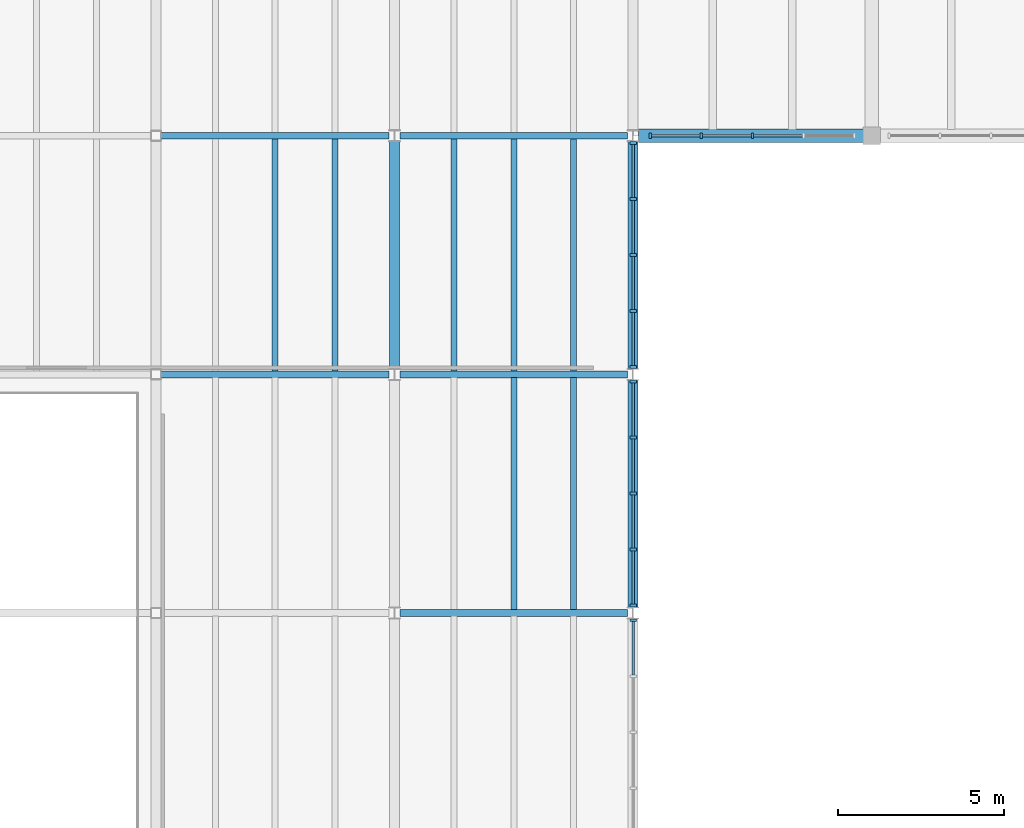
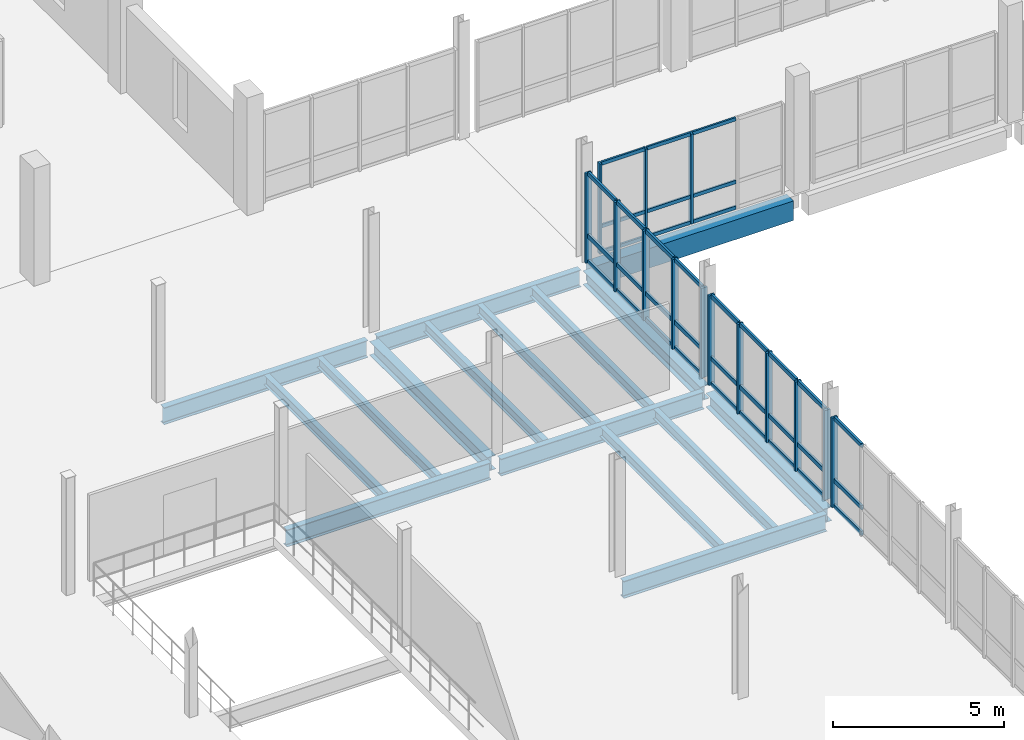
# One storey, part 33 of 72: 50 members, 16 beams, 4 elements without a shape of their own.
"""IFC4 building model written with IfcOpenShell, lengths in metres."""

import ifcopenshell
import ifcopenshell.guid

model = None  # the IFC model being written
_history = None  # IfcOwnerHistory: only IFC2X3 demands one
_inside = {}  # id of a spatial element -> (the spatial element, [elements in it])
_under = {}  # id of a project, library or spatial element -> (it, [spatial elements below it])
_declared = {}  # id of a project -> (the project, [libraries it declares])
_typed = {}  # id of a type object -> (the type object, [elements of that type])
_made_of = {}  # id of a material, layer set ... -> (it, [elements and type objects made of it])


def new_model(schema):
    """Start an empty IFC model of exactly this schema.

    Asked for "IFC4X3", IfcOpenShell would pick the latest addendum, in which some entities
    have other attributes; the version numbers below select the first issue.
    IFC2X3 requires an IfcOwnerHistory on every rooted entity: one is made here for all.
    """
    global model, _history
    if schema == "IFC4X3":
        model = ifcopenshell.file(schema_version=(4, 3, 0, 0))
    else:
        model = ifcopenshell.file(schema=schema)
    _inside.clear()
    _under.clear()
    _declared.clear()
    _typed.clear()
    _made_of.clear()
    _history = None
    if model.schema == "IFC2X3":
        org = make("IfcOrganization", Name="unknown")
        user = make(
            "IfcPersonAndOrganization",
            ThePerson=make("IfcPerson", FamilyName="unknown"),
            TheOrganization=org,
        )
        app = make(
            "IfcApplication",
            ApplicationDeveloper=org,
            Version="unknown",
            ApplicationFullName="unknown",
            ApplicationIdentifier="unknown",
        )
        _history = make(
            "IfcOwnerHistory",
            OwningUser=user,
            OwningApplication=app,
            ChangeAction="ADDED",
            CreationDate=0,
        )
    return model


def make(cls, **values):
    """One entity of the class cls with the attributes given. An attribute that is None is left unset."""
    return model.create_entity(
        cls, **{name: value for name, value in values.items() if value is not None}
    )


def rooted(cls, **values):
    """An entity with a GlobalId (a new one), such as an element, a storey or a relation."""
    return make(cls, GlobalId=ifcopenshell.guid.new(), OwnerHistory=_history, **values)


def si_unit(unit_type, name, prefix=None):
    """IfcSIUnit, for example si_unit("LENGTHUNIT", "METRE", prefix="MILLI")."""
    return make("IfcSIUnit", UnitType=unit_type, Prefix=prefix, Name=name)


def assignment(units):
    """IfcUnitAssignment: the units of a project."""
    return None if units is None else make("IfcUnitAssignment", Units=units)


def point(xyz):
    """IfcCartesianPoint."""
    return None if xyz is None else make("IfcCartesianPoint", Coordinates=xyz)


def direction(xyz):
    """IfcDirection."""
    return None if xyz is None else make("IfcDirection", DirectionRatios=xyz)


def frame(location, z_axis=None, x_axis=None):
    """IfcAxis2Placement3D, a coordinate frame: its origin and axes. An axis left out is left unset."""
    return make(
        "IfcAxis2Placement3D",
        Location=point(location),
        Axis=direction(z_axis),
        RefDirection=direction(x_axis),
    )


def frame_2d(location, x_axis=None):
    """IfcAxis2Placement2D, a coordinate frame in the plane: its origin and x axis."""
    return make(
        "IfcAxis2Placement2D", Location=point(location), RefDirection=direction(x_axis)
    )


def origin():
    """The frame at (0, 0, 0) with its axes left unset."""
    return frame((0.0, 0.0, 0.0))


def origin_2d():
    """The frame at (0, 0) in the plane with its x axis left unset."""
    return frame_2d((0.0, 0.0))


def place(relative_to, where):
    """IfcLocalPlacement: puts the frame where relative to a parent placement (None: the world)."""
    return make(
        "IfcLocalPlacement", PlacementRelTo=relative_to, RelativePlacement=where
    )


def context(
    kind, dimensions, precision=None, world=None, true_north=None, identifier=None
):
    """IfcGeometricRepresentationContext, for example the 3D "Model" context."""
    return make(
        "IfcGeometricRepresentationContext",
        ContextIdentifier=identifier,
        ContextType=kind,
        CoordinateSpaceDimension=dimensions,
        Precision=precision,
        WorldCoordinateSystem=world,
        TrueNorth=true_north,
    )


def subcontext(parent, identifier, kind, view, scale=None):
    """IfcGeometricRepresentationSubContext, for example "Body" below "Model"."""
    return make(
        "IfcGeometricRepresentationSubContext",
        ContextIdentifier=identifier,
        ContextType=kind,
        ParentContext=parent,
        TargetScale=scale,
        TargetView=view,
    )


def project(units=None, contexts=None):
    """IfcProject with its units and contexts."""
    return rooted(
        "IfcProject",
        Name="project",
        RepresentationContexts=contexts,
        UnitsInContext=assignment(units),
    )


def spatial(cls, under=None, at=None, **own):
    """A site, building, storey or space (cls), placed at a placement, below another one or the project."""
    s = rooted(cls, ObjectPlacement=at, **own)
    if under is not None:
        _under.setdefault(under.id(), (under, []))[1].append(s)
    return s


def profile(cls, at=None, kind="AREA", **sizes):
    """A parametric profile (cls). Its sizes go by their IFC names, for example OverallWidth=200.0."""
    return make(cls, ProfileType=kind, Position=at, **sizes)


def rectangle(**sizes):
    """IfcRectangleProfileDef."""
    return profile("IfcRectangleProfileDef", **sizes)


def i_section(**sizes):
    """IfcIShapeProfileDef."""
    return profile("IfcIShapeProfileDef", **sizes)


def extrude(swept, where, along, depth):
    """IfcExtrudedAreaSolid: the profile swept, set in the frame where, extruded along a direction by depth."""
    return make(
        "IfcExtrudedAreaSolid",
        SweptArea=swept,
        Position=where,
        ExtrudedDirection=direction(along),
        Depth=depth,
    )


def shape(context_of_items, identifier, shape_type, items):
    """IfcShapeRepresentation: the items that make up one representation, for example the "Body"."""
    return make(
        "IfcShapeRepresentation",
        ContextOfItems=context_of_items,
        RepresentationIdentifier=identifier,
        RepresentationType=shape_type,
        Items=items,
    )


def material(Name=None, Category=None):
    """IfcMaterial."""
    return make("IfcMaterial", Name=Name, Category=Category)


def material_profile(
    of_material, cross_section, Name=None, Category=None, Priority=None
):
    """IfcMaterialProfile: a cross section and its material."""
    return make(
        "IfcMaterialProfile",
        Name=Name,
        Material=of_material,
        Profile=cross_section,
        Priority=Priority,
        Category=Category,
    )


def profile_set(profiles, Name=None, composite=None):
    """IfcMaterialProfileSet."""
    return make(
        "IfcMaterialProfileSet",
        Name=Name,
        MaterialProfiles=profiles,
        CompositeProfile=composite,
    )


def made_of(thing, what):
    """Note that an element or type object is made of a material, layer set ...; save() writes the relation."""
    if what is not None:
        _made_of.setdefault(what.id(), (what, []))[1].append(thing)
    return thing


def type_object(cls, material=None, **own):
    """A type object (cls), such as IfcWallType, which elements share."""
    return made_of(rooted(cls, **own), material)


def element(
    cls,
    number,
    at=None,
    inside=None,
    cuts=None,
    type_object=None,
    material=None,
    context=None,
    identifier="Body",
    shape_type=None,
    held_by="IfcProductDefinitionShape",
    body=None,
    shapes=None,
    **own,
):
    """One element of the class cls, such as IfcWall. Its Tag is "e" and its number.

    at: its placement. inside: the storey or other place that contains it. cuts: it is an
    opening in that element (IfcRelVoidsElement). A single representation is given by context,
    identifier, shape_type and body (its items); several are given by shapes. held_by: the class
    of the entity that holds the representations. save() writes the other relations.
    """
    e = rooted(cls, Tag="e%d" % number, ObjectPlacement=at, **own)
    if body is not None:
        shapes = [shape(context, identifier, shape_type, body)]
    if shapes is not None:
        e.Representation = make(held_by, Representations=shapes)
    if inside is not None:
        _inside.setdefault(inside.id(), (inside, []))[1].append(e)
    if cuts is not None:
        rooted(
            "IfcRelVoidsElement", RelatingBuildingElement=cuts, RelatedOpeningElement=e
        )
    if type_object is not None:
        _typed.setdefault(type_object.id(), (type_object, []))[1].append(e)
    return made_of(e, material)


def aggregate(whole, parts):
    """IfcRelAggregates: a whole, such as a stair, and the parts it consists of."""
    return rooted("IfcRelAggregates", RelatingObject=whole, RelatedObjects=parts)


def save(model, path):
    """Write the relations noted so far, then the file.

    IfcRelAggregates (storeys below a building ...), IfcRelContainedInSpatialStructure (elements
    in a storey), IfcRelDefinesByType, IfcRelAssociatesMaterial and IfcRelDeclares: one each for
    every whole, place, type object, material and project.
    """
    for whole, parts in _under.values():
        aggregate(whole, parts)
    for where, things in _inside.values():
        rooted(
            "IfcRelContainedInSpatialStructure",
            RelatedElements=things,
            RelatingStructure=where,
        )
    for kind, things in _typed.values():
        rooted("IfcRelDefinesByType", RelatedObjects=things, RelatingType=kind)
    for what, things in _made_of.values():
        rooted("IfcRelAssociatesMaterial", RelatedObjects=things, RelatingMaterial=what)
    for by, libraries in _declared.values():
        rooted("IfcRelDeclares", RelatingContext=by, RelatedDefinitions=libraries)
    model.write(path)


model = new_model("IFC4")

# Units and contexts
model_context = context("Model", 3, precision=1e-05, world=origin(), true_north=direction((0.0, 1.0)))
body_context = subcontext(model_context, "Body", "Model", "MODEL_VIEW")
ifc_project = project(units=[si_unit("LENGTHUNIT", "METRE"), si_unit("AREAUNIT", "SQUARE_METRE"), si_unit("VOLUMEUNIT", "CUBIC_METRE"), si_unit("PLANEANGLEUNIT", "RADIAN"), si_unit("MASSUNIT", "GRAM", prefix="KILO")], contexts=[model_context])

# Site, building, storey
site_placement = place(None, origin())
site = spatial("IfcSite", under=ifc_project, at=site_placement, CompositionType="ELEMENT")
building_placement = place(site_placement, origin())
building = spatial("IfcBuilding", under=site, at=building_placement, Name="Qiaolan Assembly House", CompositionType="ELEMENT")
storey_placement = place(building_placement, frame((0.0, 0.0, 10.199951171875)))
storey = spatial("IfcBuildingStorey", under=building, at=storey_placement, Name="L02", CompositionType="ELEMENT", Elevation=10.199951171875)

# Beams
ifc_material_1 = material(Name="Concrete C40/50", Category="concrete")
ifc_material_profile_1 = material_profile(ifc_material_1, rectangle(XDim=0.39990234375, YDim=0.699951171875, at=origin_2d()), Name="RCB 400x700")
ifc_profile_set_1 = profile_set([ifc_material_profile_1], Name="Concrete C40/50")
beam_type_1 = type_object("IfcBeamType", Name="BM-RC-400x700", PredefinedType="BEAM", material=ifc_profile_set_1)
beam_1_placement = place(storey_placement, frame((108.1650390625, 79.199951171875, -0.619873046875), z_axis=(1.0, 0.0, 0.0), x_axis=(0.0, 1.0, 0.0)))
element("IfcBeam", 1, at=beam_1_placement, inside=storey, type_object=beam_type_1, Name="GB-05 beam BMX-CLN-L02-00-00", PredefinedType="BEAM", context=body_context, shape_type="SweptSolid", body=[
    extrude(rectangle(XDim=0.39990234375, YDim=0.699951171875, at=origin_2d()), origin(), (0.0, 0.0, 1.0), 6.784912109375),
])
ifc_material_2 = material(Name="Steel Q355B", Category="steel")
ifc_material_profile_2 = material_profile(ifc_material_2, i_section(OverallWidth=0.300048828125, OverallDepth=0.5, WebThickness=0.010986328125, FlangeThickness=0.01806640625, FilletRadius=0.02001953125, at=origin_2d()), Name="HM 500x300x11x18")
ifc_profile_set_2 = profile_set([ifc_material_profile_2], Name="Steel Q355B")
beam_type_2 = type_object("IfcBeamType", Name="BM-STL-HM500", PredefinedType="BEAM", material=ifc_profile_set_2)
for number, where, z_axis, x_axis, name in (
    (2, (100.800048828125, 72.1650390625, -0.550048828125), (0.0, 1.0, 0.0), (-1.0, 0.0, 0.0), "SB-15 beam BMY-HL-L02-11-05"),
    (3, (108.0, 64.965087890625, -0.550048828125), (0.0, 1.0, 0.0), (-1.0, 0.0, 0.0), "SB-15 beam BMY-HL-L02-12-04"),
    (4, (108.0, 72.1650390625, -0.550048828125), (0.0, 1.0, 0.0), (-1.0, 0.0, 0.0), "SB-15 beam BMY-HL-L02-12-05"),
):
    element("IfcBeam", number, at=place(storey_placement, frame(where, z_axis=z_axis, x_axis=x_axis)), inside=storey, type_object=beam_type_2, Name=name, PredefinedType="BEAM", context=body_context, shape_type="SweptSolid", body=[
        extrude(i_section(OverallWidth=0.300048828125, OverallDepth=0.5, WebThickness=0.010986328125, FlangeThickness=0.01806640625, FilletRadius=0.02001953125, at=origin_2d()), origin(), (0.0, 0.0, 1.0), 6.869873046875),
    ])
ifc_material_profile_3 = material_profile(ifc_material_2, i_section(OverallWidth=0.2099609375, OverallDepth=0.610107421875, WebThickness=0.010986328125, FlangeThickness=0.01806640625, FilletRadius=0.02001953125, at=origin_2d()), Name="HN 610x210x11x18")
ifc_profile_set_3 = profile_set([ifc_material_profile_3], Name="Steel Q355B")
beam_type_3 = type_object("IfcBeamType", Name="BM-STL-HN610", PredefinedType="BEAM", material=ifc_profile_set_3)
beam_2_placement = place(storey_placement, frame((100.965087890625, 64.800048828125, -0.60498046875), z_axis=(1.0, 0.0, 0.0), x_axis=(0.0, 1.0, 0.0)))
element("IfcBeam", 5, at=beam_2_placement, inside=storey, type_object=beam_type_3, Name="SB-11 beam BMX-HL-L02-11-04", PredefinedType="BEAM", context=body_context, shape_type="SweptSolid", body=[
    extrude(i_section(OverallWidth=0.2099609375, OverallDepth=0.610107421875, WebThickness=0.010986328125, FlangeThickness=0.01806640625, FilletRadius=0.02001953125, at=origin_2d()), origin(), (0.0, 0.0, 1.0), 6.869873046875),
])
beam_3_placement = place(storey_placement, frame((93.739990234375, 72.0, -0.60498046875), z_axis=(1.0, 0.0, 0.0), x_axis=(0.0, 1.0, 0.0)))
element("IfcBeam", 6, at=beam_3_placement, inside=storey, type_object=beam_type_3, Name="SB-11 beam BMX-HL-L02-10-05", PredefinedType="BEAM", context=body_context, shape_type="SweptSolid", body=[
    extrude(i_section(OverallWidth=0.2099609375, OverallDepth=0.610107421875, WebThickness=0.010986328125, FlangeThickness=0.01806640625, FilletRadius=0.02001953125, at=origin_2d()), origin(), (0.0, 0.0, 1.0), 6.89501953125),
])
beam_4_placement = place(storey_placement, frame((100.965087890625, 72.0, -0.60498046875), z_axis=(1.0, 0.0, 0.0), x_axis=(0.0, 1.0, 0.0)))
element("IfcBeam", 7, at=beam_4_placement, inside=storey, type_object=beam_type_3, Name="SB-11 beam BMX-HL-L02-11-05", PredefinedType="BEAM", context=body_context, shape_type="SweptSolid", body=[
    extrude(i_section(OverallWidth=0.2099609375, OverallDepth=0.610107421875, WebThickness=0.010986328125, FlangeThickness=0.01806640625, FilletRadius=0.02001953125, at=origin_2d()), origin(), (0.0, 0.0, 1.0), 6.869873046875),
])
beam_5_placement = place(storey_placement, frame((93.739990234375, 79.199951171875, -0.60498046875), z_axis=(1.0, 0.0, 0.0), x_axis=(0.0, 1.0, 0.0)))
element("IfcBeam", 8, at=beam_5_placement, inside=storey, type_object=beam_type_3, Name="SB-11 beam BMX-HL-L02-10-06", PredefinedType="BEAM", context=body_context, shape_type="SweptSolid", body=[
    extrude(i_section(OverallWidth=0.2099609375, OverallDepth=0.610107421875, WebThickness=0.010986328125, FlangeThickness=0.01806640625, FilletRadius=0.02001953125, at=origin_2d()), origin(), (0.0, 0.0, 1.0), 6.89501953125),
])
beam_6_placement = place(storey_placement, frame((100.965087890625, 79.199951171875, -0.60498046875), z_axis=(1.0, 0.0, 0.0), x_axis=(0.0, 1.0, 0.0)))
element("IfcBeam", 9, at=beam_6_placement, inside=storey, type_object=beam_type_3, Name="SB-11 beam BMX-HL-L02-11-06", PredefinedType="BEAM", context=body_context, shape_type="SweptSolid", body=[
    extrude(i_section(OverallWidth=0.2099609375, OverallDepth=0.610107421875, WebThickness=0.010986328125, FlangeThickness=0.01806640625, FilletRadius=0.02001953125, at=origin_2d()), origin(), (0.0, 0.0, 1.0), 6.869873046875),
])

# Curtain wall, members
ifc_material_3 = material(Name="Anodised bronze aluminium", Category="aluminium")
curtain_wall_type_1 = type_object("IfcCurtainWallType", Name="CW-CLOISTER-420", PredefinedType="NOTDEFINED", material=ifc_material_3)
curtain_wall_1_placement = place(storey_placement, origin())
curtain_wall_1 = element("IfcCurtainWall", 10, at=curtain_wall_1_placement, inside=storey, type_object=curtain_wall_type_1, Name="CW-05 North Cloister court arcade L02-1", PredefinedType="NOTDEFINED")
ifc_material_profile_4 = material_profile(ifc_material_3, rectangle(XDim=0.070068359375, YDim=0.155029296875, at=origin_2d()), Name="MUL 70x155")
ifc_profile_set_4 = profile_set([ifc_material_profile_4], Name="Anodised bronze aluminium")
member_type_1 = type_object("IfcMemberType", Name="CW-CLOISTER-420-MUL", PredefinedType="MULLION", material=ifc_profile_set_4)
member_1_placement = place(storey_placement, frame((108.52001953125, 79.199951171875, 0.0), z_axis=(0.0, 0.0, 1.0), x_axis=(1.0, 0.0, 0.0)))
member_1 = element("IfcMember", 11, at=member_1_placement, type_object=member_type_1, Name="ML-06 mullion CW-CLN-CRT-L02-0-1", PredefinedType="MULLION", context=body_context, shape_type="SweptSolid", body=[
    extrude(rectangle(XDim=0.070068359375, YDim=0.155029296875, at=origin_2d()), origin(), (0.0, 0.0, 1.0), 3.219970703125),
])
member_2_placement = place(storey_placement, frame((110.06005859375, 79.199951171875, 0.0), z_axis=(0.0, 0.0, 1.0), x_axis=(1.0, 0.0, 0.0)))
member_2 = element("IfcMember", 12, at=member_2_placement, type_object=member_type_1, Name="ML-06 mullion CW-CLN-CRT-L02-0-2", PredefinedType="MULLION", context=body_context, shape_type="SweptSolid", body=[
    extrude(rectangle(XDim=0.070068359375, YDim=0.155029296875, at=origin_2d()), origin(), (0.0, 0.0, 1.0), 3.219970703125),
])
member_3_placement = place(storey_placement, frame((111.60009765625, 79.199951171875, 0.0), z_axis=(0.0, 0.0, 1.0), x_axis=(1.0, 0.0, 0.0)))
member_3 = element("IfcMember", 13, at=member_3_placement, type_object=member_type_1, Name="ML-06 mullion CW-CLN-CRT-L02-0-3", PredefinedType="MULLION", context=body_context, shape_type="SweptSolid", body=[
    extrude(rectangle(XDim=0.070068359375, YDim=0.155029296875, at=origin_2d()), origin(), (0.0, 0.0, 1.0), 3.219970703125),
])
ifc_material_profile_5 = material_profile(ifc_material_3, rectangle(XDim=0.06201171875, YDim=0.125, at=origin_2d()), Name="TRN 62x125")
ifc_profile_set_5 = profile_set([ifc_material_profile_5], Name="Anodised bronze aluminium")
member_type_2 = type_object("IfcMemberType", Name="CW-CLOISTER-420-TRN", PredefinedType="USERDEFINED", material=ifc_profile_set_5)
member_4_placement = place(storey_placement, frame((108.554931640625, 79.199951171875, 0.030029296875), z_axis=(1.0, 0.0, 0.0), x_axis=(0.0, 1.0, 0.0)))
member_4 = element("IfcMember", 14, at=member_4_placement, type_object=member_type_2, Name="TR-06 transom CW-CLN-CRT-L02-0-1-1", ObjectType="TRANSOM", PredefinedType="USERDEFINED", context=body_context, shape_type="SweptSolid", body=[
    extrude(rectangle(XDim=0.06201171875, YDim=0.125, at=origin_2d()), origin(), (0.0, 0.0, 1.0), 1.469970703125),
])
member_5_placement = place(storey_placement, frame((108.554931640625, 79.199951171875, 0.949951171875), z_axis=(1.0, 0.0, 0.0), x_axis=(0.0, 1.0, 0.0)))
member_5 = element("IfcMember", 15, at=member_5_placement, type_object=member_type_2, Name="TR-06 transom CW-CLN-CRT-L02-0-1-2", ObjectType="TRANSOM", PredefinedType="USERDEFINED", context=body_context, shape_type="SweptSolid", body=[
    extrude(rectangle(XDim=0.06201171875, YDim=0.125, at=origin_2d()), origin(), (0.0, 0.0, 1.0), 1.469970703125),
])
member_6_placement = place(storey_placement, frame((108.554931640625, 79.199951171875, 3.18994140625), z_axis=(1.0, 0.0, 0.0), x_axis=(0.0, 1.0, 0.0)))
member_6 = element("IfcMember", 16, at=member_6_placement, type_object=member_type_2, Name="TR-06 transom CW-CLN-CRT-L02-0-1-3", ObjectType="TRANSOM", PredefinedType="USERDEFINED", context=body_context, shape_type="SweptSolid", body=[
    extrude(rectangle(XDim=0.06201171875, YDim=0.125, at=origin_2d()), origin(), (0.0, 0.0, 1.0), 1.469970703125),
])
member_7_placement = place(storey_placement, frame((110.094970703125, 79.199951171875, 0.030029296875), z_axis=(1.0, 0.0, 0.0), x_axis=(0.0, 1.0, 0.0)))
member_7 = element("IfcMember", 17, at=member_7_placement, type_object=member_type_2, Name="TR-06 transom CW-CLN-CRT-L02-0-2-1", ObjectType="TRANSOM", PredefinedType="USERDEFINED", context=body_context, shape_type="SweptSolid", body=[
    extrude(rectangle(XDim=0.06201171875, YDim=0.125, at=origin_2d()), origin(), (0.0, 0.0, 1.0), 1.469970703125),
])
member_8_placement = place(storey_placement, frame((110.094970703125, 79.199951171875, 0.949951171875), z_axis=(1.0, 0.0, 0.0), x_axis=(0.0, 1.0, 0.0)))
member_8 = element("IfcMember", 18, at=member_8_placement, type_object=member_type_2, Name="TR-06 transom CW-CLN-CRT-L02-0-2-2", ObjectType="TRANSOM", PredefinedType="USERDEFINED", context=body_context, shape_type="SweptSolid", body=[
    extrude(rectangle(XDim=0.06201171875, YDim=0.125, at=origin_2d()), origin(), (0.0, 0.0, 1.0), 1.469970703125),
])
member_9_placement = place(storey_placement, frame((110.094970703125, 79.199951171875, 3.18994140625), z_axis=(1.0, 0.0, 0.0), x_axis=(0.0, 1.0, 0.0)))
member_9 = element("IfcMember", 19, at=member_9_placement, type_object=member_type_2, Name="TR-06 transom CW-CLN-CRT-L02-0-2-3", ObjectType="TRANSOM", PredefinedType="USERDEFINED", context=body_context, shape_type="SweptSolid", body=[
    extrude(rectangle(XDim=0.06201171875, YDim=0.125, at=origin_2d()), origin(), (0.0, 0.0, 1.0), 1.469970703125),
])
member_10_placement = place(storey_placement, frame((111.635009765625, 79.199951171875, 0.030029296875), z_axis=(1.0, 0.0, 0.0), x_axis=(0.0, 1.0, 0.0)))
member_10 = element("IfcMember", 20, at=member_10_placement, type_object=member_type_2, Name="TR-06 transom CW-CLN-CRT-L02-0-3-1", ObjectType="TRANSOM", PredefinedType="USERDEFINED", context=body_context, shape_type="SweptSolid", body=[
    extrude(rectangle(XDim=0.06201171875, YDim=0.125, at=origin_2d()), origin(), (0.0, 0.0, 1.0), 1.469970703125),
])
member_11_placement = place(storey_placement, frame((111.635009765625, 79.199951171875, 0.949951171875), z_axis=(1.0, 0.0, 0.0), x_axis=(0.0, 1.0, 0.0)))
member_11 = element("IfcMember", 21, at=member_11_placement, type_object=member_type_2, Name="TR-06 transom CW-CLN-CRT-L02-0-3-2", ObjectType="TRANSOM", PredefinedType="USERDEFINED", context=body_context, shape_type="SweptSolid", body=[
    extrude(rectangle(XDim=0.06201171875, YDim=0.125, at=origin_2d()), origin(), (0.0, 0.0, 1.0), 1.469970703125),
])
member_12_placement = place(storey_placement, frame((111.635009765625, 79.199951171875, 3.18994140625), z_axis=(1.0, 0.0, 0.0), x_axis=(0.0, 1.0, 0.0)))
member_12 = element("IfcMember", 22, at=member_12_placement, type_object=member_type_2, Name="TR-06 transom CW-CLN-CRT-L02-0-3-3", ObjectType="TRANSOM", PredefinedType="USERDEFINED", context=body_context, shape_type="SweptSolid", body=[
    extrude(rectangle(XDim=0.06201171875, YDim=0.125, at=origin_2d()), origin(), (0.0, 0.0, 1.0), 1.469970703125),
])
aggregate(curtain_wall_1, [member_1, member_2, member_3, member_4, member_5, member_6, member_7, member_8, member_9, member_10, member_11, member_12])

# Curtain wall, member
curtain_wall_type_2 = type_object("IfcCurtainWallType", Name="CW-HALL-UPPER-480", PredefinedType="NOTDEFINED", material=ifc_material_3)
curtain_wall_2_placement = place(storey_placement, origin())
curtain_wall_2 = element("IfcCurtainWall", 23, at=curtain_wall_2_placement, inside=storey, type_object=curtain_wall_type_2, Name="CW-01 Hall East court curtain wall L02-3", PredefinedType="NOTDEFINED")
ifc_material_profile_6 = material_profile(ifc_material_3, rectangle(XDim=0.0859375, YDim=0.199951171875, at=origin_2d()), Name="MUL 86x200")
ifc_profile_set_6 = profile_set([ifc_material_profile_6], Name="Anodised bronze aluminium")
member_type_3 = type_object("IfcMemberType", Name="CW-HALL-UPPER-480-MUL", PredefinedType="MULLION", material=ifc_profile_set_6)
member_13_placement = place(storey_placement, frame((108.0, 64.580078125, 0.0), z_axis=(0.0, 0.0, 1.0), x_axis=(0.0, -1.0, 0.0)))
member_13 = element("IfcMember", 24, at=member_13_placement, type_object=member_type_3, Name="ML-02 mullion CW-HALL-E-L02-02-1", PredefinedType="MULLION", context=body_context, shape_type="SweptSolid", body=[
    extrude(rectangle(XDim=0.0859375, YDim=0.199951171875, at=origin_2d()), origin(), (0.0, 0.0, 1.0), 3.199951171875),
])

# Curtain wall, members
curtain_wall_3_placement = place(storey_placement, origin())
curtain_wall_3 = element("IfcCurtainWall", 25, at=curtain_wall_3_placement, inside=storey, type_object=curtain_wall_type_2, Name="CW-01 Hall East court curtain wall L02-4", PredefinedType="NOTDEFINED")
member_14_placement = place(storey_placement, frame((108.0, 71.780029296875, 0.0), z_axis=(0.0, 0.0, 1.0), x_axis=(0.0, -1.0, 0.0)))
member_14 = element("IfcMember", 26, at=member_14_placement, type_object=member_type_3, Name="ML-02 mullion CW-HALL-E-L02-03-1", PredefinedType="MULLION", context=body_context, shape_type="SweptSolid", body=[
    extrude(rectangle(XDim=0.0859375, YDim=0.199951171875, at=origin_2d()), origin(), (0.0, 0.0, 1.0), 3.199951171875),
])
member_15_placement = place(storey_placement, frame((108.0, 70.090087890625, 0.0), z_axis=(0.0, 0.0, 1.0), x_axis=(0.0, -1.0, 0.0)))
member_15 = element("IfcMember", 27, at=member_15_placement, type_object=member_type_3, Name="ML-02 mullion CW-HALL-E-L02-03-2", PredefinedType="MULLION", context=body_context, shape_type="SweptSolid", body=[
    extrude(rectangle(XDim=0.0859375, YDim=0.199951171875, at=origin_2d()), origin(), (0.0, 0.0, 1.0), 3.199951171875),
])
member_16_placement = place(storey_placement, frame((108.0, 68.39990234375, 0.0), z_axis=(0.0, 0.0, 1.0), x_axis=(0.0, -1.0, 0.0)))
member_16 = element("IfcMember", 28, at=member_16_placement, type_object=member_type_3, Name="ML-02 mullion CW-HALL-E-L02-03-3", PredefinedType="MULLION", context=body_context, shape_type="SweptSolid", body=[
    extrude(rectangle(XDim=0.0859375, YDim=0.199951171875, at=origin_2d()), origin(), (0.0, 0.0, 1.0), 3.199951171875),
])
member_17_placement = place(storey_placement, frame((108.0, 66.7099609375, 0.0), z_axis=(0.0, 0.0, 1.0), x_axis=(0.0, -1.0, 0.0)))
member_17 = element("IfcMember", 29, at=member_17_placement, type_object=member_type_3, Name="ML-02 mullion CW-HALL-E-L02-03-4", PredefinedType="MULLION", context=body_context, shape_type="SweptSolid", body=[
    extrude(rectangle(XDim=0.0859375, YDim=0.199951171875, at=origin_2d()), origin(), (0.0, 0.0, 1.0), 3.199951171875),
])
member_18_placement = place(storey_placement, frame((108.0, 65.02001953125, 0.0), z_axis=(0.0, 0.0, 1.0), x_axis=(0.0, -1.0, 0.0)))
member_18 = element("IfcMember", 30, at=member_18_placement, type_object=member_type_3, Name="ML-02 mullion CW-HALL-E-L02-03-5", PredefinedType="MULLION", context=body_context, shape_type="SweptSolid", body=[
    extrude(rectangle(XDim=0.0859375, YDim=0.199951171875, at=origin_2d()), origin(), (0.0, 0.0, 1.0), 3.199951171875),
])

curtain_wall_4_placement = place(storey_placement, origin())
curtain_wall_4 = element("IfcCurtainWall", 31, at=curtain_wall_4_placement, inside=storey, type_object=curtain_wall_type_2, Name="CW-01 Hall East court curtain wall L02-5", PredefinedType="NOTDEFINED")
member_19_placement = place(storey_placement, frame((108.0, 78.97998046875, 0.0), z_axis=(0.0, 0.0, 1.0), x_axis=(0.0, -1.0, 0.0)))
member_19 = element("IfcMember", 32, at=member_19_placement, type_object=member_type_3, Name="ML-02 mullion CW-HALL-E-L02-04-1", PredefinedType="MULLION", context=body_context, shape_type="SweptSolid", body=[
    extrude(rectangle(XDim=0.0859375, YDim=0.199951171875, at=origin_2d()), origin(), (0.0, 0.0, 1.0), 3.199951171875),
])
member_20_placement = place(storey_placement, frame((108.0, 77.2900390625, 0.0), z_axis=(0.0, 0.0, 1.0), x_axis=(0.0, -1.0, 0.0)))
member_20 = element("IfcMember", 33, at=member_20_placement, type_object=member_type_3, Name="ML-02 mullion CW-HALL-E-L02-04-2", PredefinedType="MULLION", context=body_context, shape_type="SweptSolid", body=[
    extrude(rectangle(XDim=0.0859375, YDim=0.199951171875, at=origin_2d()), origin(), (0.0, 0.0, 1.0), 3.199951171875),
])
member_21_placement = place(storey_placement, frame((108.0, 75.60009765625, 0.0), z_axis=(0.0, 0.0, 1.0), x_axis=(0.0, -1.0, 0.0)))
member_21 = element("IfcMember", 34, at=member_21_placement, type_object=member_type_3, Name="ML-02 mullion CW-HALL-E-L02-04-3", PredefinedType="MULLION", context=body_context, shape_type="SweptSolid", body=[
    extrude(rectangle(XDim=0.0859375, YDim=0.199951171875, at=origin_2d()), origin(), (0.0, 0.0, 1.0), 3.199951171875),
])
member_22_placement = place(storey_placement, frame((108.0, 73.909912109375, 0.0), z_axis=(0.0, 0.0, 1.0), x_axis=(0.0, -1.0, 0.0)))
member_22 = element("IfcMember", 35, at=member_22_placement, type_object=member_type_3, Name="ML-02 mullion CW-HALL-E-L02-04-4", PredefinedType="MULLION", context=body_context, shape_type="SweptSolid", body=[
    extrude(rectangle(XDim=0.0859375, YDim=0.199951171875, at=origin_2d()), origin(), (0.0, 0.0, 1.0), 3.199951171875),
])
member_23_placement = place(storey_placement, frame((108.0, 72.219970703125, 0.0), z_axis=(0.0, 0.0, 1.0), x_axis=(0.0, -1.0, 0.0)))
member_23 = element("IfcMember", 36, at=member_23_placement, type_object=member_type_3, Name="ML-02 mullion CW-HALL-E-L02-04-5", PredefinedType="MULLION", context=body_context, shape_type="SweptSolid", body=[
    extrude(rectangle(XDim=0.0859375, YDim=0.199951171875, at=origin_2d()), origin(), (0.0, 0.0, 1.0), 3.199951171875),
])

# Member
ifc_material_profile_7 = material_profile(ifc_material_3, rectangle(XDim=0.075927734375, YDim=0.14990234375, at=origin_2d()), Name="TRN 76x150")
ifc_profile_set_7 = profile_set([ifc_material_profile_7], Name="Anodised bronze aluminium")
member_type_4 = type_object("IfcMemberType", Name="CW-HALL-UPPER-480-TRN", PredefinedType="USERDEFINED", material=ifc_profile_set_7)
member_24_placement = place(storey_placement, frame((108.0, 64.537109375, 0.030029296875), z_axis=(0.0, -1.0, 0.0), x_axis=(1.0, 0.0, 0.0)))
member_24 = element("IfcMember", 37, at=member_24_placement, type_object=member_type_4, Name="TR-02 transom CW-HALL-E-L02-02-1-1", ObjectType="TRANSOM", PredefinedType="USERDEFINED", context=body_context, shape_type="SweptSolid", body=[
    extrude(rectangle(XDim=0.075927734375, YDim=0.14990234375, at=origin_2d()), origin(), (0.0, 0.0, 1.0), 1.60400390625),
])

member_25_placement = place(storey_placement, frame((108.0, 64.537109375, 0.949951171875), z_axis=(0.0, -1.0, 0.0), x_axis=(1.0, 0.0, 0.0)))
member_25 = element("IfcMember", 38, at=member_25_placement, type_object=member_type_4, Name="TR-02 transom CW-HALL-E-L02-02-1-2", ObjectType="TRANSOM", PredefinedType="USERDEFINED", context=body_context, shape_type="SweptSolid", body=[
    extrude(rectangle(XDim=0.075927734375, YDim=0.14990234375, at=origin_2d()), origin(), (0.0, 0.0, 1.0), 1.60400390625),
])

member_26_placement = place(storey_placement, frame((108.0, 64.537109375, 3.170166015625), z_axis=(0.0, -1.0, 0.0), x_axis=(1.0, 0.0, 0.0)))
member_26 = element("IfcMember", 39, at=member_26_placement, type_object=member_type_4, Name="TR-02 transom CW-HALL-E-L02-02-1-3", ObjectType="TRANSOM", PredefinedType="USERDEFINED", context=body_context, shape_type="SweptSolid", body=[
    extrude(rectangle(XDim=0.075927734375, YDim=0.14990234375, at=origin_2d()), origin(), (0.0, 0.0, 1.0), 1.60400390625),
])

aggregate(curtain_wall_2, [member_13, member_24, member_25, member_26])

member_27_placement = place(storey_placement, frame((108.0, 71.737060546875, 0.030029296875), z_axis=(0.0, -1.0, 0.0), x_axis=(1.0, 0.0, 0.0)))
member_27 = element("IfcMember", 40, at=member_27_placement, type_object=member_type_4, Name="TR-02 transom CW-HALL-E-L02-03-1-1", ObjectType="TRANSOM", PredefinedType="USERDEFINED", context=body_context, shape_type="SweptSolid", body=[
    extrude(rectangle(XDim=0.075927734375, YDim=0.14990234375, at=origin_2d()), origin(), (0.0, 0.0, 1.0), 1.60400390625),
])

member_28_placement = place(storey_placement, frame((108.0, 71.737060546875, 0.949951171875), z_axis=(0.0, -1.0, 0.0), x_axis=(1.0, 0.0, 0.0)))
member_28 = element("IfcMember", 41, at=member_28_placement, type_object=member_type_4, Name="TR-02 transom CW-HALL-E-L02-03-1-2", ObjectType="TRANSOM", PredefinedType="USERDEFINED", context=body_context, shape_type="SweptSolid", body=[
    extrude(rectangle(XDim=0.075927734375, YDim=0.14990234375, at=origin_2d()), origin(), (0.0, 0.0, 1.0), 1.60400390625),
])

member_29_placement = place(storey_placement, frame((108.0, 71.737060546875, 3.170166015625), z_axis=(0.0, -1.0, 0.0), x_axis=(1.0, 0.0, 0.0)))
member_29 = element("IfcMember", 42, at=member_29_placement, type_object=member_type_4, Name="TR-02 transom CW-HALL-E-L02-03-1-3", ObjectType="TRANSOM", PredefinedType="USERDEFINED", context=body_context, shape_type="SweptSolid", body=[
    extrude(rectangle(XDim=0.075927734375, YDim=0.14990234375, at=origin_2d()), origin(), (0.0, 0.0, 1.0), 1.60400390625),
])

member_30_placement = place(storey_placement, frame((108.0, 70.047119140625, 0.030029296875), z_axis=(0.0, -1.0, 0.0), x_axis=(1.0, 0.0, 0.0)))
member_30 = element("IfcMember", 43, at=member_30_placement, type_object=member_type_4, Name="TR-02 transom CW-HALL-E-L02-03-2-1", ObjectType="TRANSOM", PredefinedType="USERDEFINED", context=body_context, shape_type="SweptSolid", body=[
    extrude(rectangle(XDim=0.075927734375, YDim=0.14990234375, at=origin_2d()), origin(), (0.0, 0.0, 1.0), 1.60400390625),
])

member_31_placement = place(storey_placement, frame((108.0, 70.047119140625, 0.949951171875), z_axis=(0.0, -1.0, 0.0), x_axis=(1.0, 0.0, 0.0)))
member_31 = element("IfcMember", 44, at=member_31_placement, type_object=member_type_4, Name="TR-02 transom CW-HALL-E-L02-03-2-2", ObjectType="TRANSOM", PredefinedType="USERDEFINED", context=body_context, shape_type="SweptSolid", body=[
    extrude(rectangle(XDim=0.075927734375, YDim=0.14990234375, at=origin_2d()), origin(), (0.0, 0.0, 1.0), 1.60400390625),
])

member_32_placement = place(storey_placement, frame((108.0, 70.047119140625, 3.170166015625), z_axis=(0.0, -1.0, 0.0), x_axis=(1.0, 0.0, 0.0)))
member_32 = element("IfcMember", 45, at=member_32_placement, type_object=member_type_4, Name="TR-02 transom CW-HALL-E-L02-03-2-3", ObjectType="TRANSOM", PredefinedType="USERDEFINED", context=body_context, shape_type="SweptSolid", body=[
    extrude(rectangle(XDim=0.075927734375, YDim=0.14990234375, at=origin_2d()), origin(), (0.0, 0.0, 1.0), 1.60400390625),
])

member_33_placement = place(storey_placement, frame((108.0, 68.35693359375, 0.030029296875), z_axis=(0.0, -1.0, 0.0), x_axis=(1.0, 0.0, 0.0)))
member_33 = element("IfcMember", 46, at=member_33_placement, type_object=member_type_4, Name="TR-02 transom CW-HALL-E-L02-03-3-1", ObjectType="TRANSOM", PredefinedType="USERDEFINED", context=body_context, shape_type="SweptSolid", body=[
    extrude(rectangle(XDim=0.075927734375, YDim=0.14990234375, at=origin_2d()), origin(), (0.0, 0.0, 1.0), 1.60400390625),
])

member_34_placement = place(storey_placement, frame((108.0, 68.35693359375, 0.949951171875), z_axis=(0.0, -1.0, 0.0), x_axis=(1.0, 0.0, 0.0)))
member_34 = element("IfcMember", 47, at=member_34_placement, type_object=member_type_4, Name="TR-02 transom CW-HALL-E-L02-03-3-2", ObjectType="TRANSOM", PredefinedType="USERDEFINED", context=body_context, shape_type="SweptSolid", body=[
    extrude(rectangle(XDim=0.075927734375, YDim=0.14990234375, at=origin_2d()), origin(), (0.0, 0.0, 1.0), 1.60400390625),
])

member_35_placement = place(storey_placement, frame((108.0, 68.35693359375, 3.170166015625), z_axis=(0.0, -1.0, 0.0), x_axis=(1.0, 0.0, 0.0)))
member_35 = element("IfcMember", 48, at=member_35_placement, type_object=member_type_4, Name="TR-02 transom CW-HALL-E-L02-03-3-3", ObjectType="TRANSOM", PredefinedType="USERDEFINED", context=body_context, shape_type="SweptSolid", body=[
    extrude(rectangle(XDim=0.075927734375, YDim=0.14990234375, at=origin_2d()), origin(), (0.0, 0.0, 1.0), 1.60400390625),
])

member_36_placement = place(storey_placement, frame((108.0, 66.6669921875, 0.030029296875), z_axis=(0.0, -1.0, 0.0), x_axis=(1.0, 0.0, 0.0)))
member_36 = element("IfcMember", 49, at=member_36_placement, type_object=member_type_4, Name="TR-02 transom CW-HALL-E-L02-03-4-1", ObjectType="TRANSOM", PredefinedType="USERDEFINED", context=body_context, shape_type="SweptSolid", body=[
    extrude(rectangle(XDim=0.075927734375, YDim=0.14990234375, at=origin_2d()), origin(), (0.0, 0.0, 1.0), 1.60400390625),
])

member_37_placement = place(storey_placement, frame((108.0, 66.6669921875, 0.949951171875), z_axis=(0.0, -1.0, 0.0), x_axis=(1.0, 0.0, 0.0)))
member_37 = element("IfcMember", 50, at=member_37_placement, type_object=member_type_4, Name="TR-02 transom CW-HALL-E-L02-03-4-2", ObjectType="TRANSOM", PredefinedType="USERDEFINED", context=body_context, shape_type="SweptSolid", body=[
    extrude(rectangle(XDim=0.075927734375, YDim=0.14990234375, at=origin_2d()), origin(), (0.0, 0.0, 1.0), 1.60400390625),
])

member_38_placement = place(storey_placement, frame((108.0, 66.6669921875, 3.170166015625), z_axis=(0.0, -1.0, 0.0), x_axis=(1.0, 0.0, 0.0)))
member_38 = element("IfcMember", 51, at=member_38_placement, type_object=member_type_4, Name="TR-02 transom CW-HALL-E-L02-03-4-3", ObjectType="TRANSOM", PredefinedType="USERDEFINED", context=body_context, shape_type="SweptSolid", body=[
    extrude(rectangle(XDim=0.075927734375, YDim=0.14990234375, at=origin_2d()), origin(), (0.0, 0.0, 1.0), 1.60400390625),
])

aggregate(curtain_wall_3, [member_14, member_15, member_16, member_17, member_18, member_27, member_28, member_29, member_30, member_31, member_32, member_33, member_34, member_35, member_36, member_37, member_38])

member_39_placement = place(storey_placement, frame((108.0, 78.93701171875, 0.030029296875), z_axis=(0.0, -1.0, 0.0), x_axis=(1.0, 0.0, 0.0)))
member_39 = element("IfcMember", 52, at=member_39_placement, type_object=member_type_4, Name="TR-02 transom CW-HALL-E-L02-04-1-1", ObjectType="TRANSOM", PredefinedType="USERDEFINED", context=body_context, shape_type="SweptSolid", body=[
    extrude(rectangle(XDim=0.075927734375, YDim=0.14990234375, at=origin_2d()), origin(), (0.0, 0.0, 1.0), 1.60400390625),
])

member_40_placement = place(storey_placement, frame((108.0, 78.93701171875, 0.949951171875), z_axis=(0.0, -1.0, 0.0), x_axis=(1.0, 0.0, 0.0)))
member_40 = element("IfcMember", 53, at=member_40_placement, type_object=member_type_4, Name="TR-02 transom CW-HALL-E-L02-04-1-2", ObjectType="TRANSOM", PredefinedType="USERDEFINED", context=body_context, shape_type="SweptSolid", body=[
    extrude(rectangle(XDim=0.075927734375, YDim=0.14990234375, at=origin_2d()), origin(), (0.0, 0.0, 1.0), 1.60400390625),
])

member_41_placement = place(storey_placement, frame((108.0, 78.93701171875, 3.170166015625), z_axis=(0.0, -1.0, 0.0), x_axis=(1.0, 0.0, 0.0)))
member_41 = element("IfcMember", 54, at=member_41_placement, type_object=member_type_4, Name="TR-02 transom CW-HALL-E-L02-04-1-3", ObjectType="TRANSOM", PredefinedType="USERDEFINED", context=body_context, shape_type="SweptSolid", body=[
    extrude(rectangle(XDim=0.075927734375, YDim=0.14990234375, at=origin_2d()), origin(), (0.0, 0.0, 1.0), 1.60400390625),
])

member_42_placement = place(storey_placement, frame((108.0, 77.2470703125, 0.030029296875), z_axis=(0.0, -1.0, 0.0), x_axis=(1.0, 0.0, 0.0)))
member_42 = element("IfcMember", 55, at=member_42_placement, type_object=member_type_4, Name="TR-02 transom CW-HALL-E-L02-04-2-1", ObjectType="TRANSOM", PredefinedType="USERDEFINED", context=body_context, shape_type="SweptSolid", body=[
    extrude(rectangle(XDim=0.075927734375, YDim=0.14990234375, at=origin_2d()), origin(), (0.0, 0.0, 1.0), 1.60400390625),
])

member_43_placement = place(storey_placement, frame((108.0, 77.2470703125, 0.949951171875), z_axis=(0.0, -1.0, 0.0), x_axis=(1.0, 0.0, 0.0)))
member_43 = element("IfcMember", 56, at=member_43_placement, type_object=member_type_4, Name="TR-02 transom CW-HALL-E-L02-04-2-2", ObjectType="TRANSOM", PredefinedType="USERDEFINED", context=body_context, shape_type="SweptSolid", body=[
    extrude(rectangle(XDim=0.075927734375, YDim=0.14990234375, at=origin_2d()), origin(), (0.0, 0.0, 1.0), 1.60400390625),
])

member_44_placement = place(storey_placement, frame((108.0, 77.2470703125, 3.170166015625), z_axis=(0.0, -1.0, 0.0), x_axis=(1.0, 0.0, 0.0)))
member_44 = element("IfcMember", 57, at=member_44_placement, type_object=member_type_4, Name="TR-02 transom CW-HALL-E-L02-04-2-3", ObjectType="TRANSOM", PredefinedType="USERDEFINED", context=body_context, shape_type="SweptSolid", body=[
    extrude(rectangle(XDim=0.075927734375, YDim=0.14990234375, at=origin_2d()), origin(), (0.0, 0.0, 1.0), 1.60400390625),
])

member_45_placement = place(storey_placement, frame((108.0, 75.556884765625, 0.030029296875), z_axis=(0.0, -1.0, 0.0), x_axis=(1.0, 0.0, 0.0)))
member_45 = element("IfcMember", 58, at=member_45_placement, type_object=member_type_4, Name="TR-02 transom CW-HALL-E-L02-04-3-1", ObjectType="TRANSOM", PredefinedType="USERDEFINED", context=body_context, shape_type="SweptSolid", body=[
    extrude(rectangle(XDim=0.075927734375, YDim=0.14990234375, at=origin_2d()), origin(), (0.0, 0.0, 1.0), 1.60400390625),
])

member_46_placement = place(storey_placement, frame((108.0, 75.556884765625, 0.949951171875), z_axis=(0.0, -1.0, 0.0), x_axis=(1.0, 0.0, 0.0)))
member_46 = element("IfcMember", 59, at=member_46_placement, type_object=member_type_4, Name="TR-02 transom CW-HALL-E-L02-04-3-2", ObjectType="TRANSOM", PredefinedType="USERDEFINED", context=body_context, shape_type="SweptSolid", body=[
    extrude(rectangle(XDim=0.075927734375, YDim=0.14990234375, at=origin_2d()), origin(), (0.0, 0.0, 1.0), 1.60400390625),
])

member_47_placement = place(storey_placement, frame((108.0, 75.556884765625, 3.170166015625), z_axis=(0.0, -1.0, 0.0), x_axis=(1.0, 0.0, 0.0)))
member_47 = element("IfcMember", 60, at=member_47_placement, type_object=member_type_4, Name="TR-02 transom CW-HALL-E-L02-04-3-3", ObjectType="TRANSOM", PredefinedType="USERDEFINED", context=body_context, shape_type="SweptSolid", body=[
    extrude(rectangle(XDim=0.075927734375, YDim=0.14990234375, at=origin_2d()), origin(), (0.0, 0.0, 1.0), 1.60400390625),
])

member_48_placement = place(storey_placement, frame((108.0, 73.866943359375, 0.030029296875), z_axis=(0.0, -1.0, 0.0), x_axis=(1.0, 0.0, 0.0)))
member_48 = element("IfcMember", 61, at=member_48_placement, type_object=member_type_4, Name="TR-02 transom CW-HALL-E-L02-04-4-1", ObjectType="TRANSOM", PredefinedType="USERDEFINED", context=body_context, shape_type="SweptSolid", body=[
    extrude(rectangle(XDim=0.075927734375, YDim=0.14990234375, at=origin_2d()), origin(), (0.0, 0.0, 1.0), 1.60400390625),
])

member_49_placement = place(storey_placement, frame((108.0, 73.866943359375, 0.949951171875), z_axis=(0.0, -1.0, 0.0), x_axis=(1.0, 0.0, 0.0)))
member_49 = element("IfcMember", 62, at=member_49_placement, type_object=member_type_4, Name="TR-02 transom CW-HALL-E-L02-04-4-2", ObjectType="TRANSOM", PredefinedType="USERDEFINED", context=body_context, shape_type="SweptSolid", body=[
    extrude(rectangle(XDim=0.075927734375, YDim=0.14990234375, at=origin_2d()), origin(), (0.0, 0.0, 1.0), 1.60400390625),
])

member_50_placement = place(storey_placement, frame((108.0, 73.866943359375, 3.170166015625), z_axis=(0.0, -1.0, 0.0), x_axis=(1.0, 0.0, 0.0)))
member_50 = element("IfcMember", 63, at=member_50_placement, type_object=member_type_4, Name="TR-02 transom CW-HALL-E-L02-04-4-3", ObjectType="TRANSOM", PredefinedType="USERDEFINED", context=body_context, shape_type="SweptSolid", body=[
    extrude(rectangle(XDim=0.075927734375, YDim=0.14990234375, at=origin_2d()), origin(), (0.0, 0.0, 1.0), 1.60400390625),
])

aggregate(curtain_wall_4, [member_19, member_20, member_21, member_22, member_23, member_39, member_40, member_41, member_42, member_43, member_44, member_45, member_46, member_47, member_48, member_49, member_50])

# Beams
ifc_material_profile_8 = material_profile(ifc_material_2, i_section(OverallWidth=0.179931640625, OverallDepth=0.35498046875, WebThickness=0.007568359375, FlangeThickness=0.011474609375, FilletRadius=0.013916015625, at=origin_2d()), Name="HM 355x180x7.5x11.5")
ifc_profile_set_8 = profile_set([ifc_material_profile_8], Name="Steel Q355B")
beam_type_4 = type_object("IfcBeamType", Name="JST-STL-HM355", PredefinedType="JOIST", material=ifc_profile_set_8)
for number, where, z_axis, x_axis, name in (
    (64, (97.199951171875, 72.09912109375, -0.4775390625), (0.0, 1.0, 0.0), (-1.0, 0.0, 0.0), "SJ-04 beam JST-HL-L02-10-05-2"),
    (65, (99.0, 72.09912109375, -0.4775390625), (0.0, 1.0, 0.0), (-1.0, 0.0, 0.0), "SJ-04 beam JST-HL-L02-10-05-3"),
    (66, (104.39990234375, 64.89892578125, -0.4775390625), (0.0, 1.0, 0.0), (-1.0, 0.0, 0.0), "SJ-04 beam JST-HL-L02-11-04-2"),
    (67, (106.199951171875, 64.89892578125, -0.4775390625), (0.0, 1.0, 0.0), (-1.0, 0.0, 0.0), "SJ-04 beam JST-HL-L02-11-04-3"),
    (68, (102.60009765625, 72.09912109375, -0.4775390625), (0.0, 1.0, 0.0), (-1.0, 0.0, 0.0), "SJ-04 beam JST-HL-L02-11-05-1"),
    (69, (104.39990234375, 72.09912109375, -0.4775390625), (0.0, 1.0, 0.0), (-1.0, 0.0, 0.0), "SJ-04 beam JST-HL-L02-11-05-2"),
    (70, (106.199951171875, 72.09912109375, -0.4775390625), (0.0, 1.0, 0.0), (-1.0, 0.0, 0.0), "SJ-04 beam JST-HL-L02-11-05-3"),
):
    element("IfcBeam", number, at=place(storey_placement, frame(where, z_axis=z_axis, x_axis=x_axis)), inside=storey, type_object=beam_type_4, Name=name, PredefinedType="JOIST", context=body_context, shape_type="SweptSolid", body=[
        extrude(i_section(OverallWidth=0.179931640625, OverallDepth=0.35498046875, WebThickness=0.007568359375, FlangeThickness=0.011474609375, FilletRadius=0.013916015625, at=origin_2d()), origin(), (0.0, 0.0, 1.0), 7.001953125),
    ])

save(model, "model.ifc")
